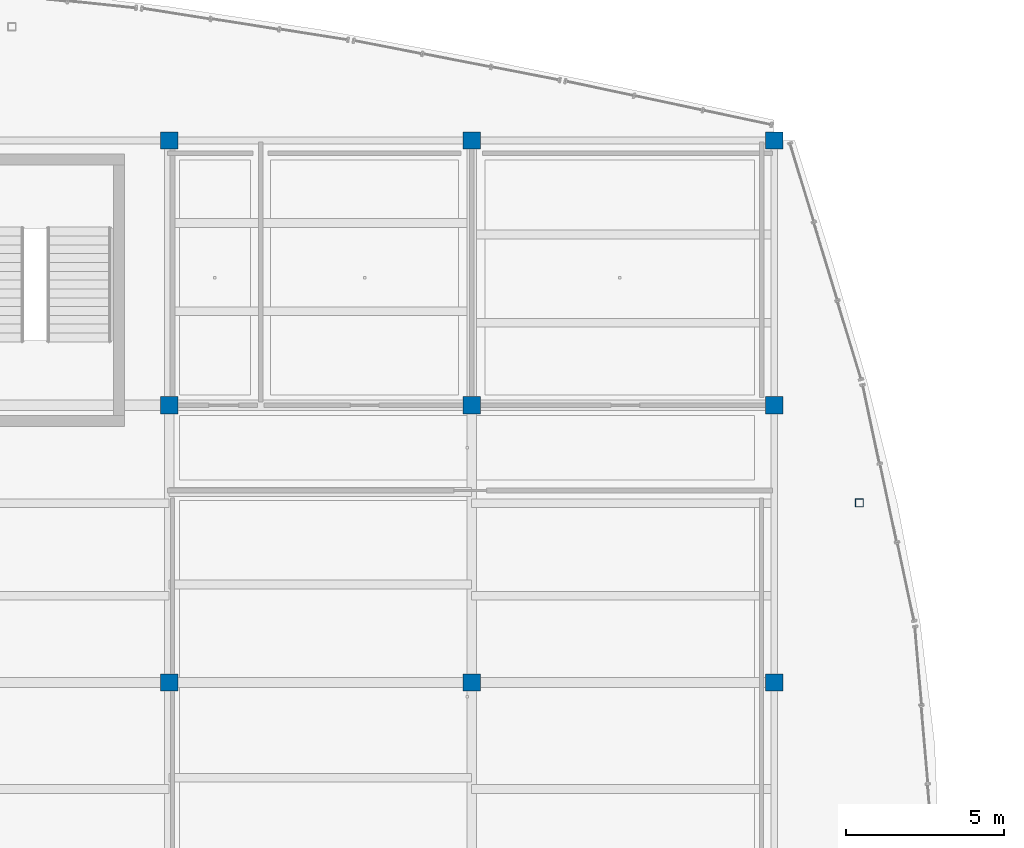
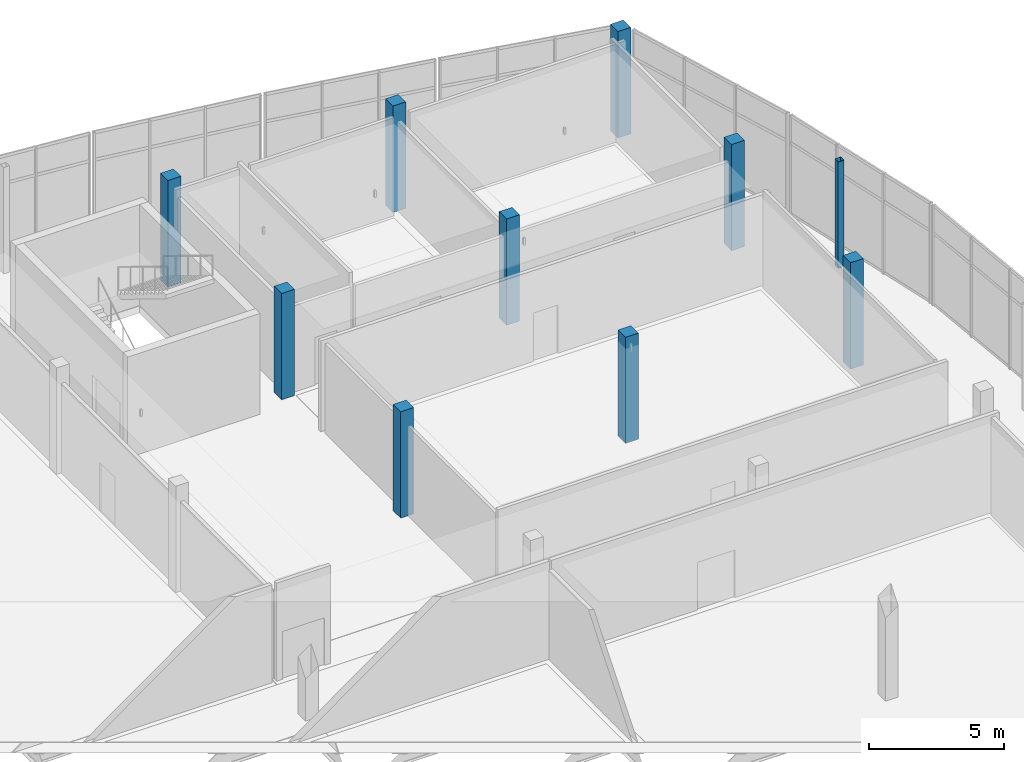
# One storey, part 11 of 157: 10 columns.
"""IFC4 building model written with IfcOpenShell, lengths in metres."""

from ifc_helpers import new_model, si_unit, direction, frame, origin, origin_2d, place, context, subcontext, project, spatial, rectangle, hollow_rectangle, extrude, material, material_profile, profile_set, type_object, element, save


model = new_model("IFC4")

# Units and contexts
model_context = context("Model", 3, precision=1e-05, world=origin(), true_north=direction((0.0, 1.0)))
body_context = subcontext(model_context, "Body", "Model", "MODEL_VIEW")
ifc_project = project(units=[si_unit("LENGTHUNIT", "METRE"), si_unit("AREAUNIT", "SQUARE_METRE"), si_unit("VOLUMEUNIT", "CUBIC_METRE"), si_unit("PLANEANGLEUNIT", "RADIAN"), si_unit("MASSUNIT", "GRAM", prefix="KILO")], contexts=[model_context])

# Site, building, storey
site_placement = place(None, origin())
site = spatial("IfcSite", under=ifc_project, at=site_placement, CompositionType="ELEMENT")
building_placement = place(site_placement, origin())
building = spatial("IfcBuilding", under=site, at=building_placement, Name="Chalmorin Arch Market", CompositionType="ELEMENT")
storey_placement = place(building_placement, frame((0.0, 0.0, 4.800048828125)))
storey = spatial("IfcBuildingStorey", under=building, at=storey_placement, Name="L01", CompositionType="ELEMENT", Elevation=4.800048828125)

# Columns
ifc_material_1 = material(Name="Concrete C40/50", Category="concrete")
ifc_material_profile_1 = material_profile(ifc_material_1, rectangle(XDim=0.550048828125, YDim=0.550048828125, at=origin_2d()), Name="RC550X550")
ifc_profile_set_1 = profile_set([ifc_material_profile_1], Name="Concrete C40/50")
column_type_1 = type_object("IfcColumnType", Name="MidConcreteColumn-550x550", PredefinedType="COLUMN", material=ifc_profile_set_1)
for number, where, z_axis, x_axis, name in (
    (1, (96.0, 100.800048828125, 0.0), (0.0, 0.0, 1.0), (1.0, 0.0, 0.0), "C-RC7-517"),
    (2, (96.0, 109.60009765625, 0.0), (0.0, 0.0, 1.0), (1.0, 0.0, 0.0), "C-RC7-522"),
    (3, (96.0, 118.0, 0.0), (0.0, 0.0, 1.0), (1.0, 0.0, 0.0), "C-RC7-527"),
    (4, (105.60009765625, 100.800048828125, 0.0), (0.0, 0.0, 1.0), (1.0, 0.0, 0.0), "C-RC7-572"),
    (5, (105.60009765625, 109.60009765625, 0.0), (0.0, 0.0, 1.0), (1.0, 0.0, 0.0), "C-RC7-577"),
    (6, (105.60009765625, 118.0, 0.0), (0.0, 0.0, 1.0), (1.0, 0.0, 0.0), "C-RC7-582"),
    (7, (115.199951171875, 100.800048828125, 0.0), (0.0, 0.0, 1.0), (1.0, 0.0, 0.0), "C-RC7-627"),
    (8, (115.199951171875, 109.60009765625, 0.0), (0.0, 0.0, 1.0), (1.0, 0.0, 0.0), "C-RC7-632"),
    (9, (115.199951171875, 118.0, 0.0), (0.0, 0.0, 1.0), (1.0, 0.0, 0.0), "C-RC7-637"),
):
    element("IfcColumn", number, at=place(storey_placement, frame(where, z_axis=z_axis, x_axis=x_axis)), inside=storey, type_object=column_type_1, Name=name, PredefinedType="COLUMN", context=body_context, shape_type="SweptSolid", body=[
        extrude(rectangle(XDim=0.550048828125, YDim=0.550048828125, at=origin_2d()), origin(), (0.0, 0.0, 1.0), 4.800048828125),
    ])
ifc_material_2 = material(Name="Steel A500 Grade C", Category="steel")
ifc_material_profile_2 = material_profile(ifc_material_2, hollow_rectangle(XDim=0.25390625, YDim=0.25390625, WallThickness=0.01171875, at=origin_2d()), Name="HSS10X10X1/2")
ifc_profile_set_2 = profile_set([ifc_material_profile_2], Name="Steel A500 Grade C")
column_type_2 = type_object("IfcColumnType", Name="SteelTubeColumn-HSS10X10", PredefinedType="COLUMN", material=ifc_profile_set_2)
column_placement = place(storey_placement, frame((117.903076171875, 106.5, 0.0), z_axis=(0.0, 0.0, 1.0), x_axis=(1.0, 0.0, 0.0)))
element("IfcColumn", 10, at=column_placement, inside=storey, type_object=column_type_2, Name="C-HS2-745", PredefinedType="COLUMN", context=body_context, shape_type="SweptSolid", body=[
    extrude(hollow_rectangle(XDim=0.25390625, YDim=0.25390625, WallThickness=0.01171875, at=origin_2d()), origin(), (0.0, 0.0, 1.0), 4.800048828125),
])

save(model, "model.ifc")
